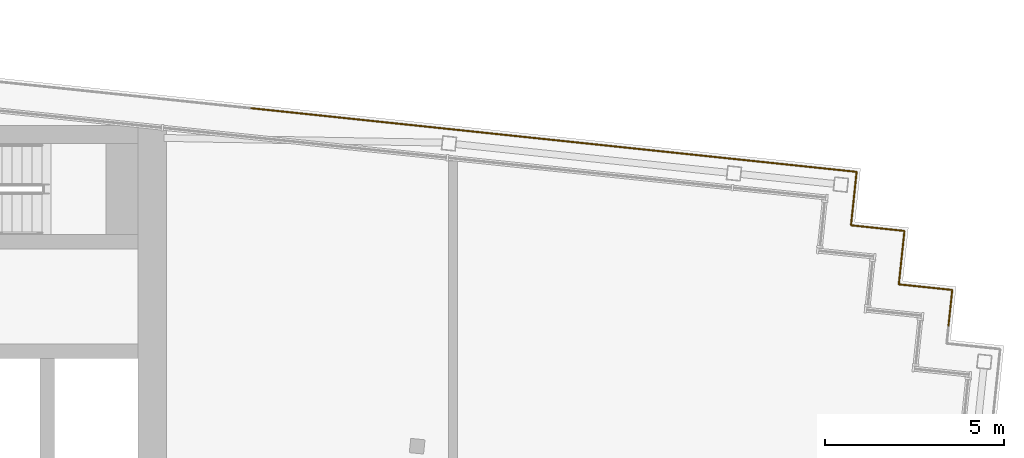
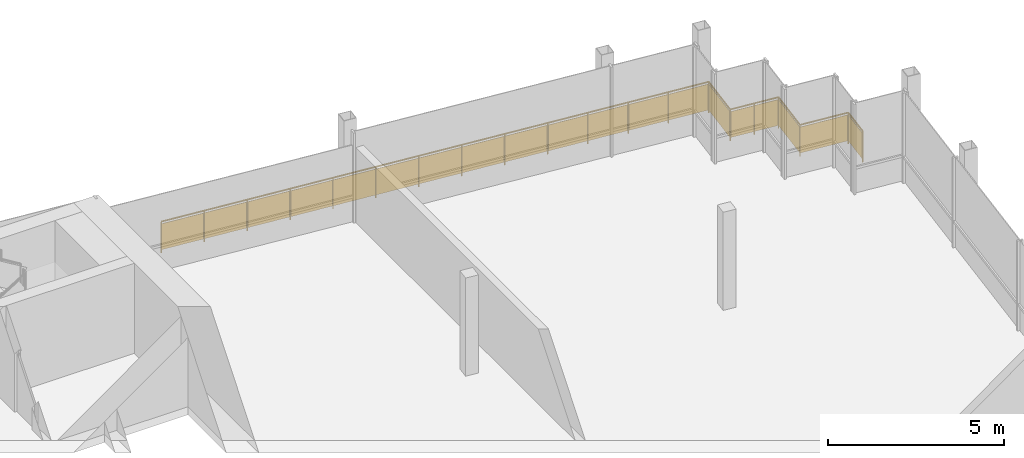
# One storey, part 15 of 15: 2 railings.
"""IFC4 building model written with IfcOpenShell, lengths in metres."""

from ifc_helpers import new_model, si_unit, direction, frame, origin, origin_2d, place, context, subcontext, project, spatial, rectangle, circle, extrude, material, type_object, element, save


model = new_model("IFC4")

# Units and contexts
model_context = context("Model", 3, precision=1e-05, world=origin(), true_north=direction((0.0, 1.0)))
body_context = subcontext(model_context, "Body", "Model", "MODEL_VIEW")
ifc_project = project(units=[si_unit("LENGTHUNIT", "METRE"), si_unit("AREAUNIT", "SQUARE_METRE"), si_unit("VOLUMEUNIT", "CUBIC_METRE"), si_unit("PLANEANGLEUNIT", "RADIAN"), si_unit("MASSUNIT", "GRAM", prefix="KILO")], contexts=[model_context])

# Site, building, storey
site_placement = place(None, origin())
site = spatial("IfcSite", under=ifc_project, at=site_placement, CompositionType="ELEMENT")
building_placement = place(site_placement, origin())
building = spatial("IfcBuilding", under=site, at=building_placement, Name="Vidyagriha Tower", CompositionType="ELEMENT")
storey_placement = place(building_placement, frame((0.0, 0.0, 294.89990234375)))
storey = spatial("IfcBuildingStorey", under=building, at=storey_placement, Name="L76", CompositionType="ELEMENT", Elevation=294.89990234375)

# Railings
ifc_material = material(Name="Steel ASTM A500 Grade C black painted", Category="steel")
railing_type = type_object("IfcRailingType", Name="Gallery guard 1100", PredefinedType="GUARDRAIL", material=ifc_material)
railing_1_placement = place(storey_placement, frame((12.3544921875, 20.481689453125, 0.0)))
element("IfcRailing", 1, at=railing_1_placement, inside=storey, type_object=railing_type, Name="Gallery guard L76 12", PredefinedType="GUARDRAIL", context=body_context, shape_type="SweptSolid", body=[
    extrude(circle(Radius=0.02490234375, at=origin_2d()), frame((0.0, 0.0, 1.0751953125), z_axis=(0.994521494219, -0.104532279878, 0.0), x_axis=(0.104532279878, 0.994521494219, 0.0)), (0.0, 0.0, 1.0), 12.0),
    extrude(circle(Radius=0.02001953125, at=origin_2d()), origin(), (0.0, 0.0, 1.0), 1.050048828125),
    extrude(circle(Radius=0.02001953125, at=origin_2d()), frame((1.325927734375, -0.139404296875, 0.0)), (0.0, 0.0, 1.0), 1.050048828125),
    extrude(circle(Radius=0.02001953125, at=origin_2d()), frame((2.652099609375, -0.27880859375, 0.0)), (0.0, 0.0, 1.0), 1.050048828125),
    extrude(circle(Radius=0.02001953125, at=origin_2d()), frame((3.97802734375, -0.418212890625, 0.0)), (0.0, 0.0, 1.0), 1.050048828125),
    extrude(circle(Radius=0.02001953125, at=origin_2d()), frame((5.30419921875, -0.5576171875, 0.0)), (0.0, 0.0, 1.0), 1.050048828125),
    extrude(circle(Radius=0.02001953125, at=origin_2d()), frame((6.630126953125, -0.69677734375, 0.0)), (0.0, 0.0, 1.0), 1.050048828125),
    extrude(circle(Radius=0.02001953125, at=origin_2d()), frame((7.956298828125, -0.836181640625, 0.0)), (0.0, 0.0, 1.0), 1.050048828125),
    extrude(circle(Radius=0.02001953125, at=origin_2d()), frame((9.2822265625, -0.9755859375, 0.0)), (0.0, 0.0, 1.0), 1.050048828125),
    extrude(circle(Radius=0.02001953125, at=origin_2d()), frame((10.6083984375, -1.114990234375, 0.0)), (0.0, 0.0, 1.0), 1.050048828125),
    extrude(circle(Radius=0.02001953125, at=origin_2d()), frame((11.934326171875, -1.25439453125, 0.0)), (0.0, 0.0, 1.0), 1.050048828125),
    extrude(rectangle(XDim=0.010009765625, YDim=0.900146484375, at=origin_2d()), frame((0.0, 0.0, 0.550048828125), z_axis=(0.994521494219, -0.104532279878, 0.0), x_axis=(0.104532279878, 0.994521494219, 0.0)), (0.0, 0.0, 1.0), 12.0),
])
railing_2_placement = place(storey_placement, frame((24.288818359375, 19.227294921875, 0.0)))
element("IfcRailing", 2, at=railing_2_placement, inside=storey, type_object=railing_type, Name="Gallery guard L76 13", PredefinedType="GUARDRAIL", context=body_context, shape_type="SweptSolid", body=[
    extrude(circle(Radius=0.02490234375, at=origin_2d()), frame((0.0, 0.0, 1.0751953125), z_axis=(0.994520692635, -0.104539905878, 0.0), x_axis=(0.104539905878, 0.994520692635, 0.0)), (0.0, 0.0, 1.0), 5.0),
    extrude(circle(Radius=0.02490234375, at=origin_2d()), frame((4.97265625, -0.522705078125, 1.0751953125), z_axis=(-0.104659366031, -0.994508128223, 0.0), x_axis=(0.994508128223, -0.104659366031, 0.0)), (0.0, 0.0, 1.0), 1.5),
    extrude(circle(Radius=0.02490234375, at=origin_2d()), frame((4.815673828125, -2.014404296875, 1.0751953125), z_axis=(0.994509910675, -0.104642427191, 0.0), x_axis=(0.104642427191, 0.994509910675, 0.0)), (0.0, 0.0, 1.0), 1.500244140625),
    extrude(circle(Radius=0.02490234375, at=origin_2d()), frame((6.3076171875, -2.17138671875, 1.0751953125), z_axis=(-0.104498377516, -0.994525057048, 0.0), x_axis=(0.994525057048, -0.104498377516, 0.0)), (0.0, 0.0, 1.0), 1.5),
    extrude(circle(Radius=0.02490234375, at=origin_2d()), frame((6.15087890625, -3.6630859375, 1.0751953125), z_axis=(0.994525057048, -0.104498377516, 0.0), x_axis=(0.104498377516, 0.994525057048, 0.0)), (0.0, 0.0, 1.0), 1.5),
    extrude(circle(Radius=0.02490234375, at=origin_2d()), frame((7.642578125, -3.81982421875, 1.0751953125), z_axis=(-0.104481464157, -0.994526834051, 0.0), x_axis=(0.994526834051, -0.104481464157, 0.0)), (0.0, 0.0, 1.0), 1.0),
    extrude(circle(Radius=0.02001953125, at=origin_2d()), origin(), (0.0, 0.0, 1.0), 1.050048828125),
    extrude(circle(Radius=0.02001953125, at=origin_2d()), frame((1.2431640625, -0.130615234375, 0.0)), (0.0, 0.0, 1.0), 1.050048828125),
    extrude(circle(Radius=0.02001953125, at=origin_2d()), frame((2.486328125, -0.26123046875, 0.0)), (0.0, 0.0, 1.0), 1.050048828125),
    extrude(circle(Radius=0.02001953125, at=origin_2d()), frame((3.7294921875, -0.39208984375, 0.0)), (0.0, 0.0, 1.0), 1.050048828125),
    extrude(circle(Radius=0.02001953125, at=origin_2d()), frame((4.97265625, -0.522705078125, 0.0)), (0.0, 0.0, 1.0), 1.050048828125),
    extrude(circle(Radius=0.02001953125, at=origin_2d()), frame((4.815673828125, -2.014404296875, 0.0)), (0.0, 0.0, 1.0), 1.050048828125),
    extrude(circle(Radius=0.02001953125, at=origin_2d()), frame((5.5615234375, -2.0927734375, 0.0)), (0.0, 0.0, 1.0), 1.050048828125),
    extrude(circle(Radius=0.02001953125, at=origin_2d()), frame((6.3076171875, -2.17138671875, 0.0)), (0.0, 0.0, 1.0), 1.050048828125),
    extrude(circle(Radius=0.02001953125, at=origin_2d()), frame((6.15087890625, -3.6630859375, 0.0)), (0.0, 0.0, 1.0), 1.050048828125),
    extrude(circle(Radius=0.02001953125, at=origin_2d()), frame((7.642578125, -3.81982421875, 0.0)), (0.0, 0.0, 1.0), 1.050048828125),
    extrude(circle(Radius=0.02001953125, at=origin_2d()), frame((7.5380859375, -4.814453125, 0.0)), (0.0, 0.0, 1.0), 1.050048828125),
    extrude(rectangle(XDim=0.010009765625, YDim=0.900146484375, at=origin_2d()), frame((0.0, 0.0, 0.550048828125), z_axis=(0.994520692635, -0.104539905878, 0.0), x_axis=(0.104539905878, 0.994520692635, 0.0)), (0.0, 0.0, 1.0), 5.0),
    extrude(rectangle(XDim=0.010009765625, YDim=0.900146484375, at=origin_2d()), frame((4.97265625, -0.522705078125, 0.550048828125), z_axis=(-0.104659366031, -0.994508128223, 0.0), x_axis=(0.994508128223, -0.104659366031, 0.0)), (0.0, 0.0, 1.0), 1.5),
    extrude(rectangle(XDim=0.010009765625, YDim=0.900146484375, at=origin_2d()), frame((4.815673828125, -2.014404296875, 0.550048828125), z_axis=(0.994509910675, -0.104642427191, 0.0), x_axis=(0.104642427191, 0.994509910675, 0.0)), (0.0, 0.0, 1.0), 1.500244140625),
    extrude(rectangle(XDim=0.010009765625, YDim=0.900146484375, at=origin_2d()), frame((6.3076171875, -2.17138671875, 0.550048828125), z_axis=(-0.104498377516, -0.994525057048, 0.0), x_axis=(0.994525057048, -0.104498377516, 0.0)), (0.0, 0.0, 1.0), 1.5),
    extrude(rectangle(XDim=0.010009765625, YDim=0.900146484375, at=origin_2d()), frame((6.15087890625, -3.6630859375, 0.550048828125), z_axis=(0.994525057048, -0.104498377516, 0.0), x_axis=(0.104498377516, 0.994525057048, 0.0)), (0.0, 0.0, 1.0), 1.5),
    extrude(rectangle(XDim=0.010009765625, YDim=0.900146484375, at=origin_2d()), frame((7.642578125, -3.81982421875, 0.550048828125), z_axis=(-0.104481464157, -0.994526834051, 0.0), x_axis=(0.994526834051, -0.104481464157, 0.0)), (0.0, 0.0, 1.0), 1.0),
])

save(model, "model.ifc")
